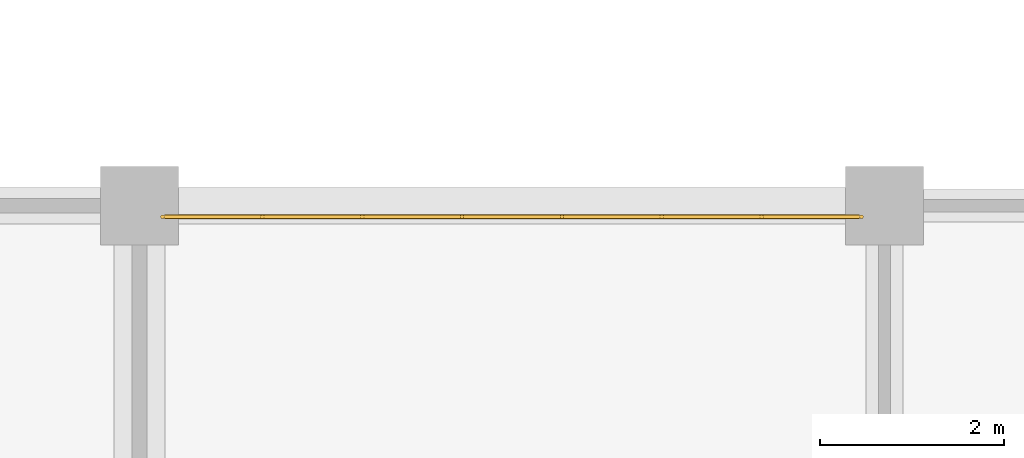
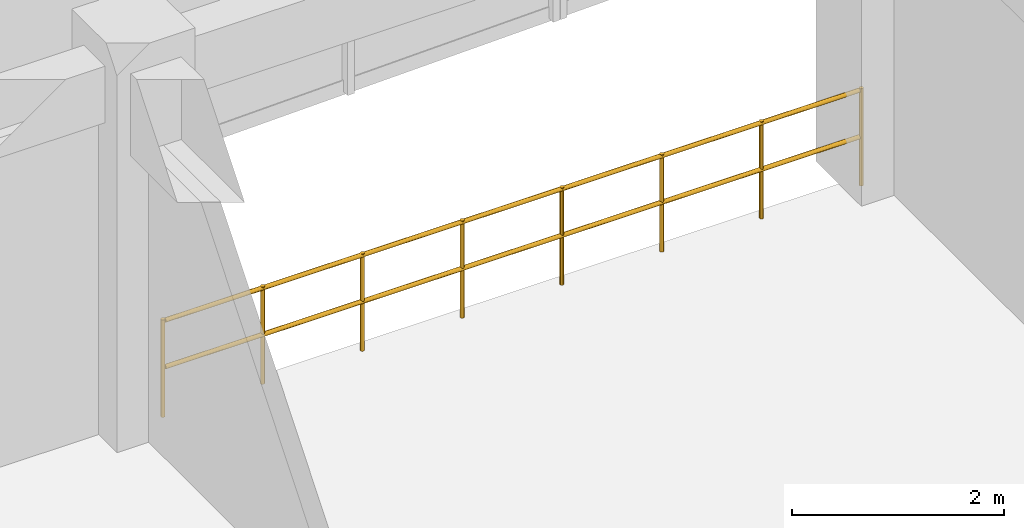
# One storey, part 93 of 93: 1 railing.
"""IFC4 building model written with IfcOpenShell, lengths in metres."""

from ifc_helpers import new_model, si_unit, direction, frame, origin, origin_2d, place, context, subcontext, project, spatial, circle, extrude, material, type_object, element, save


model = new_model("IFC4")

# Units and contexts
model_context = context("Model", 3, precision=1e-05, world=origin(), true_north=direction((0.0, 1.0)))
body_context = subcontext(model_context, "Body", "Model", "MODEL_VIEW")
ifc_project = project(units=[si_unit("LENGTHUNIT", "METRE"), si_unit("AREAUNIT", "SQUARE_METRE"), si_unit("VOLUMEUNIT", "CUBIC_METRE"), si_unit("PLANEANGLEUNIT", "RADIAN"), si_unit("MASSUNIT", "GRAM", prefix="KILO")], contexts=[model_context])

# Site, building, storey
site_placement = place(None, origin())
site = spatial("IfcSite", under=ifc_project, at=site_placement, CompositionType="ELEMENT")
building_placement = place(site_placement, origin())
building = spatial("IfcBuilding", under=site, at=building_placement, Name="Vaudrelin Polytechnic", CompositionType="ELEMENT")
storey_placement = place(building_placement, frame((0.0, 0.0, 5.10009765625)))
storey = spatial("IfcBuildingStorey", under=building, at=storey_placement, Name="L01", CompositionType="ELEMENT", Elevation=5.10009765625)

# Railing
ifc_material = material(Name="Brushed stainless steel AISI 304", Category="steel")
railing_type = type_object("IfcRailingType", Name="RAL-GR-INT", PredefinedType="GUARDRAIL", material=ifc_material)
railing_placement = place(storey_placement, frame((154.14990234375, 121.3798828125, 0.0)))
element("IfcRailing", 1, at=railing_placement, inside=storey, type_object=railing_type, Name="NE innovation prow atrium overlook guardrail L01", PredefinedType="GUARDRAIL", context=body_context, shape_type="SweptSolid", body=[
    extrude(circle(Radius=0.02392578125, at=origin_2d()), frame((0.023193359375, 0.0, 1.09619140625), z_axis=(1.0, 0.0, 0.0), x_axis=(0.0, 1.0, 0.0)), (0.0, 0.0, 1.0), 7.553955078125),
    extrude(circle(Radius=0.02392578125, at=origin_2d()), frame((0.023193359375, 0.0, 0.56005859375), z_axis=(1.0, 0.0, 0.0), x_axis=(0.0, 1.0, 0.0)), (0.0, 0.0, 1.0), 7.553955078125),
    extrude(circle(Radius=0.02099609375, at=origin_2d()), origin(), (0.0, 0.0, 1.0), 1.1201171875),
    extrude(circle(Radius=0.02099609375, at=origin_2d()), frame((1.085693359375, 0.0, 0.0)), (0.0, 0.0, 1.0), 1.1201171875),
    extrude(circle(Radius=0.02099609375, at=origin_2d()), frame((2.17138671875, 0.0, 0.0)), (0.0, 0.0, 1.0), 1.1201171875),
    extrude(circle(Radius=0.02099609375, at=origin_2d()), frame((3.257080078125, 0.0, 0.0)), (0.0, 0.0, 1.0), 1.1201171875),
    extrude(circle(Radius=0.02099609375, at=origin_2d()), frame((4.343017578125, 0.0, 0.0)), (0.0, 0.0, 1.0), 1.1201171875),
    extrude(circle(Radius=0.02099609375, at=origin_2d()), frame((5.4287109375, 0.0, 0.0)), (0.0, 0.0, 1.0), 1.1201171875),
    extrude(circle(Radius=0.02099609375, at=origin_2d()), frame((6.514404296875, 0.0, 0.0)), (0.0, 0.0, 1.0), 1.1201171875),
    extrude(circle(Radius=0.02099609375, at=origin_2d()), frame((7.60009765625, 0.0, 0.0)), (0.0, 0.0, 1.0), 1.1201171875),
])

save(model, "model.ifc")
